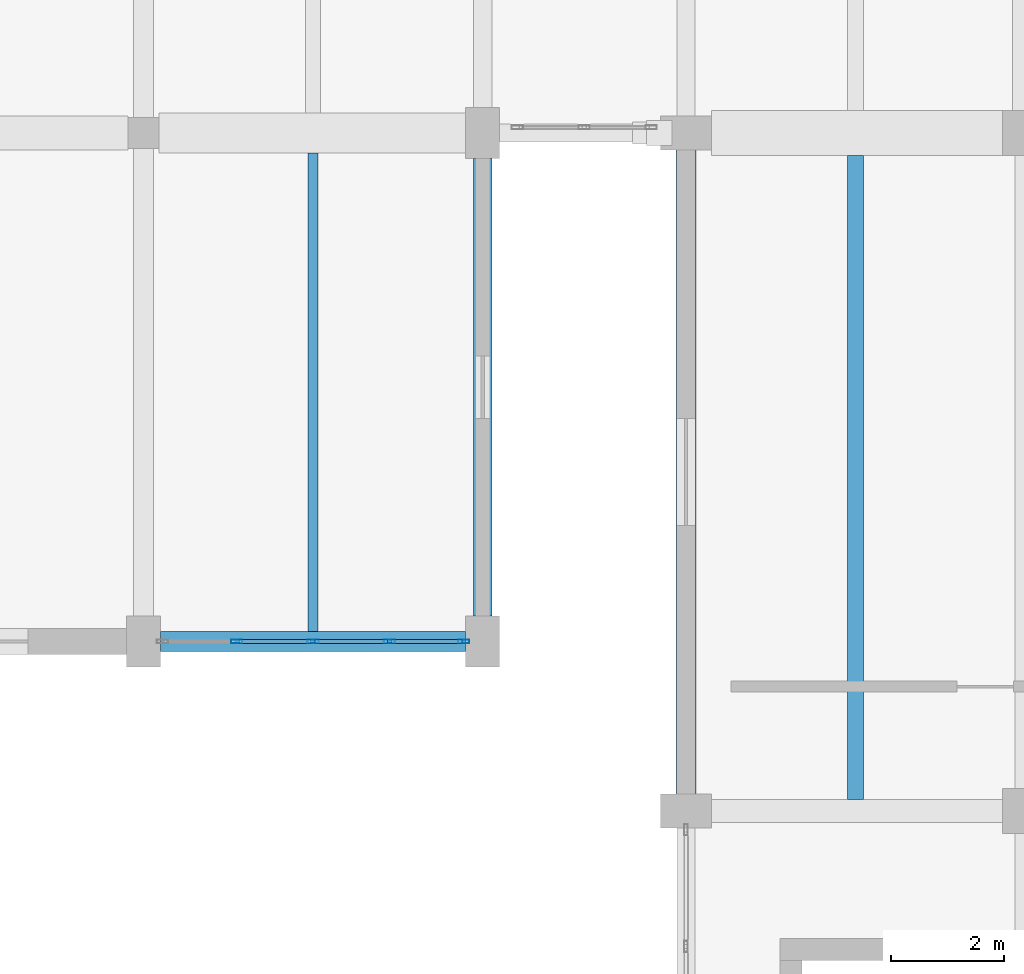
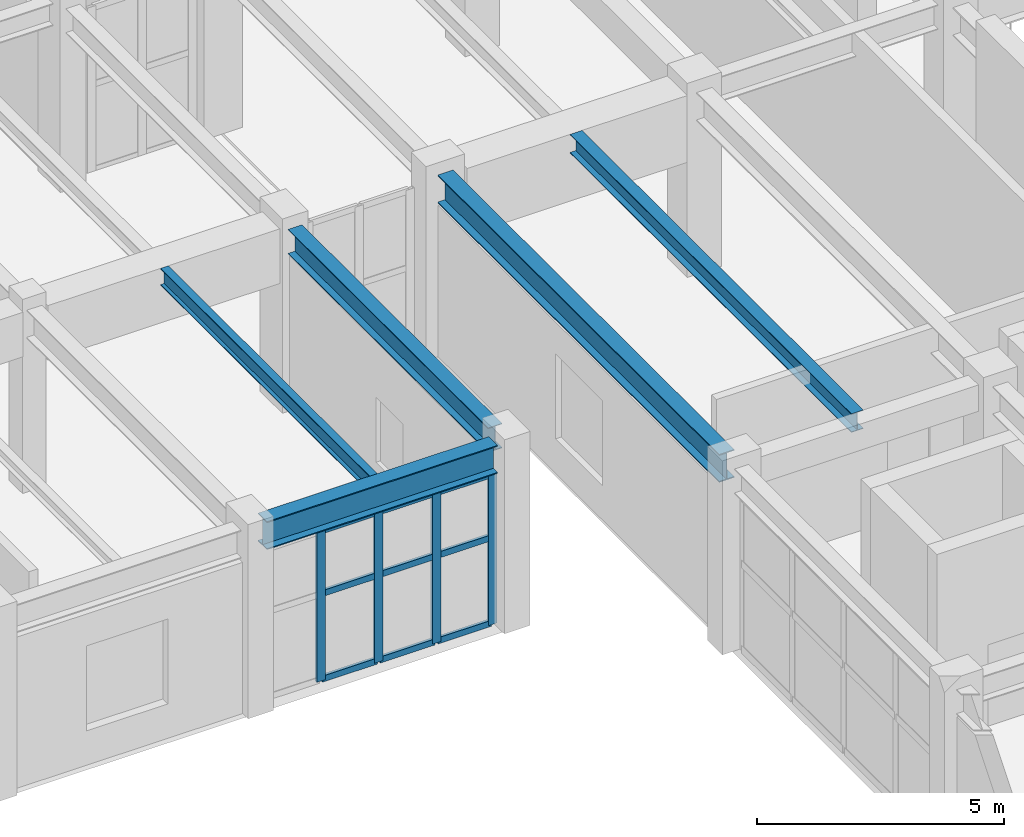
# One storey, part 14 of 96: 13 members, 5 beams, 1 element without a shape of its own.
"""IFC4 building model written with IfcOpenShell, lengths in metres."""

import ifcopenshell
import ifcopenshell.guid

model = None  # the IFC model being written
_history = None  # IfcOwnerHistory: only IFC2X3 demands one
_inside = {}  # id of a spatial element -> (the spatial element, [elements in it])
_under = {}  # id of a project, library or spatial element -> (it, [spatial elements below it])
_declared = {}  # id of a project -> (the project, [libraries it declares])
_typed = {}  # id of a type object -> (the type object, [elements of that type])
_made_of = {}  # id of a material, layer set ... -> (it, [elements and type objects made of it])


def new_model(schema):
    """Start an empty IFC model of exactly this schema.

    Asked for "IFC4X3", IfcOpenShell would pick the latest addendum, in which some entities
    have other attributes; the version numbers below select the first issue.
    IFC2X3 requires an IfcOwnerHistory on every rooted entity: one is made here for all.
    """
    global model, _history
    if schema == "IFC4X3":
        model = ifcopenshell.file(schema_version=(4, 3, 0, 0))
    else:
        model = ifcopenshell.file(schema=schema)
    _inside.clear()
    _under.clear()
    _declared.clear()
    _typed.clear()
    _made_of.clear()
    _history = None
    if model.schema == "IFC2X3":
        org = make("IfcOrganization", Name="unknown")
        user = make(
            "IfcPersonAndOrganization",
            ThePerson=make("IfcPerson", FamilyName="unknown"),
            TheOrganization=org,
        )
        app = make(
            "IfcApplication",
            ApplicationDeveloper=org,
            Version="unknown",
            ApplicationFullName="unknown",
            ApplicationIdentifier="unknown",
        )
        _history = make(
            "IfcOwnerHistory",
            OwningUser=user,
            OwningApplication=app,
            ChangeAction="ADDED",
            CreationDate=0,
        )
    return model


def make(cls, **values):
    """One entity of the class cls with the attributes given. An attribute that is None is left unset."""
    return model.create_entity(
        cls, **{name: value for name, value in values.items() if value is not None}
    )


def rooted(cls, **values):
    """An entity with a GlobalId (a new one), such as an element, a storey or a relation."""
    return make(cls, GlobalId=ifcopenshell.guid.new(), OwnerHistory=_history, **values)


def si_unit(unit_type, name, prefix=None):
    """IfcSIUnit, for example si_unit("LENGTHUNIT", "METRE", prefix="MILLI")."""
    return make("IfcSIUnit", UnitType=unit_type, Prefix=prefix, Name=name)


def assignment(units):
    """IfcUnitAssignment: the units of a project."""
    return None if units is None else make("IfcUnitAssignment", Units=units)


def point(xyz):
    """IfcCartesianPoint."""
    return None if xyz is None else make("IfcCartesianPoint", Coordinates=xyz)


def direction(xyz):
    """IfcDirection."""
    return None if xyz is None else make("IfcDirection", DirectionRatios=xyz)


def frame(location, z_axis=None, x_axis=None):
    """IfcAxis2Placement3D, a coordinate frame: its origin and axes. An axis left out is left unset."""
    return make(
        "IfcAxis2Placement3D",
        Location=point(location),
        Axis=direction(z_axis),
        RefDirection=direction(x_axis),
    )


def frame_2d(location, x_axis=None):
    """IfcAxis2Placement2D, a coordinate frame in the plane: its origin and x axis."""
    return make(
        "IfcAxis2Placement2D", Location=point(location), RefDirection=direction(x_axis)
    )


def origin():
    """The frame at (0, 0, 0) with its axes left unset."""
    return frame((0.0, 0.0, 0.0))


def origin_2d():
    """The frame at (0, 0) in the plane with its x axis left unset."""
    return frame_2d((0.0, 0.0))


def place(relative_to, where):
    """IfcLocalPlacement: puts the frame where relative to a parent placement (None: the world)."""
    return make(
        "IfcLocalPlacement", PlacementRelTo=relative_to, RelativePlacement=where
    )


def context(
    kind, dimensions, precision=None, world=None, true_north=None, identifier=None
):
    """IfcGeometricRepresentationContext, for example the 3D "Model" context."""
    return make(
        "IfcGeometricRepresentationContext",
        ContextIdentifier=identifier,
        ContextType=kind,
        CoordinateSpaceDimension=dimensions,
        Precision=precision,
        WorldCoordinateSystem=world,
        TrueNorth=true_north,
    )


def subcontext(parent, identifier, kind, view, scale=None):
    """IfcGeometricRepresentationSubContext, for example "Body" below "Model"."""
    return make(
        "IfcGeometricRepresentationSubContext",
        ContextIdentifier=identifier,
        ContextType=kind,
        ParentContext=parent,
        TargetScale=scale,
        TargetView=view,
    )


def project(units=None, contexts=None):
    """IfcProject with its units and contexts."""
    return rooted(
        "IfcProject",
        Name="project",
        RepresentationContexts=contexts,
        UnitsInContext=assignment(units),
    )


def spatial(cls, under=None, at=None, **own):
    """A site, building, storey or space (cls), placed at a placement, below another one or the project."""
    s = rooted(cls, ObjectPlacement=at, **own)
    if under is not None:
        _under.setdefault(under.id(), (under, []))[1].append(s)
    return s


def profile(cls, at=None, kind="AREA", **sizes):
    """A parametric profile (cls). Its sizes go by their IFC names, for example OverallWidth=200.0."""
    return make(cls, ProfileType=kind, Position=at, **sizes)


def hollow_rectangle(**sizes):
    """IfcRectangleHollowProfileDef."""
    return profile("IfcRectangleHollowProfileDef", **sizes)


def i_section(**sizes):
    """IfcIShapeProfileDef."""
    return profile("IfcIShapeProfileDef", **sizes)


def extrude(swept, where, along, depth):
    """IfcExtrudedAreaSolid: the profile swept, set in the frame where, extruded along a direction by depth."""
    return make(
        "IfcExtrudedAreaSolid",
        SweptArea=swept,
        Position=where,
        ExtrudedDirection=direction(along),
        Depth=depth,
    )


def shape(context_of_items, identifier, shape_type, items):
    """IfcShapeRepresentation: the items that make up one representation, for example the "Body"."""
    return make(
        "IfcShapeRepresentation",
        ContextOfItems=context_of_items,
        RepresentationIdentifier=identifier,
        RepresentationType=shape_type,
        Items=items,
    )


def material(Name=None, Category=None):
    """IfcMaterial."""
    return make("IfcMaterial", Name=Name, Category=Category)


def layer(
    of_material, thickness, ventilated=None, Name=None, Category=None, Priority=None
):
    """IfcMaterialLayer: one layer of a wall or slab, of a material (None: an air gap)."""
    return make(
        "IfcMaterialLayer",
        Material=of_material,
        LayerThickness=thickness,
        IsVentilated=ventilated,
        Name=Name,
        Category=Category,
        Priority=Priority,
    )


def layer_set(layers, Name=None):
    """IfcMaterialLayerSet."""
    return make("IfcMaterialLayerSet", MaterialLayers=layers, LayerSetName=Name)


def material_profile(
    of_material, cross_section, Name=None, Category=None, Priority=None
):
    """IfcMaterialProfile: a cross section and its material."""
    return make(
        "IfcMaterialProfile",
        Name=Name,
        Material=of_material,
        Profile=cross_section,
        Priority=Priority,
        Category=Category,
    )


def profile_set(profiles, Name=None, composite=None):
    """IfcMaterialProfileSet."""
    return make(
        "IfcMaterialProfileSet",
        Name=Name,
        MaterialProfiles=profiles,
        CompositeProfile=composite,
    )


def made_of(thing, what):
    """Note that an element or type object is made of a material, layer set ...; save() writes the relation."""
    if what is not None:
        _made_of.setdefault(what.id(), (what, []))[1].append(thing)
    return thing


def type_object(cls, material=None, **own):
    """A type object (cls), such as IfcWallType, which elements share."""
    return made_of(rooted(cls, **own), material)


def element(
    cls,
    number,
    at=None,
    inside=None,
    cuts=None,
    type_object=None,
    material=None,
    context=None,
    identifier="Body",
    shape_type=None,
    held_by="IfcProductDefinitionShape",
    body=None,
    shapes=None,
    **own,
):
    """One element of the class cls, such as IfcWall. Its Tag is "e" and its number.

    at: its placement. inside: the storey or other place that contains it. cuts: it is an
    opening in that element (IfcRelVoidsElement). A single representation is given by context,
    identifier, shape_type and body (its items); several are given by shapes. held_by: the class
    of the entity that holds the representations. save() writes the other relations.
    """
    e = rooted(cls, Tag="e%d" % number, ObjectPlacement=at, **own)
    if body is not None:
        shapes = [shape(context, identifier, shape_type, body)]
    if shapes is not None:
        e.Representation = make(held_by, Representations=shapes)
    if inside is not None:
        _inside.setdefault(inside.id(), (inside, []))[1].append(e)
    if cuts is not None:
        rooted(
            "IfcRelVoidsElement", RelatingBuildingElement=cuts, RelatedOpeningElement=e
        )
    if type_object is not None:
        _typed.setdefault(type_object.id(), (type_object, []))[1].append(e)
    return made_of(e, material)


def aggregate(whole, parts):
    """IfcRelAggregates: a whole, such as a stair, and the parts it consists of."""
    return rooted("IfcRelAggregates", RelatingObject=whole, RelatedObjects=parts)


def save(model, path):
    """Write the relations noted so far, then the file.

    IfcRelAggregates (storeys below a building ...), IfcRelContainedInSpatialStructure (elements
    in a storey), IfcRelDefinesByType, IfcRelAssociatesMaterial and IfcRelDeclares: one each for
    every whole, place, type object, material and project.
    """
    for whole, parts in _under.values():
        aggregate(whole, parts)
    for where, things in _inside.values():
        rooted(
            "IfcRelContainedInSpatialStructure",
            RelatedElements=things,
            RelatingStructure=where,
        )
    for kind, things in _typed.values():
        rooted("IfcRelDefinesByType", RelatedObjects=things, RelatingType=kind)
    for what, things in _made_of.values():
        rooted("IfcRelAssociatesMaterial", RelatedObjects=things, RelatingMaterial=what)
    for by, libraries in _declared.values():
        rooted("IfcRelDeclares", RelatingContext=by, RelatedDefinitions=libraries)
    model.write(path)


model = new_model("IFC4")

# Units and contexts
model_context = context("Model", 3, precision=1e-05, world=origin(), true_north=direction((0.0, 1.0)))
body_context = subcontext(model_context, "Body", "Model", "MODEL_VIEW")
ifc_project = project(units=[si_unit("LENGTHUNIT", "METRE"), si_unit("AREAUNIT", "SQUARE_METRE"), si_unit("VOLUMEUNIT", "CUBIC_METRE"), si_unit("PLANEANGLEUNIT", "RADIAN"), si_unit("MASSUNIT", "GRAM", prefix="KILO")], contexts=[model_context])

# Site, building, storey
site_placement = place(None, origin())
site = spatial("IfcSite", under=ifc_project, at=site_placement, CompositionType="ELEMENT")
building_placement = place(site_placement, origin())
building = spatial("IfcBuilding", under=site, at=building_placement, Name="Vaelkrest Opera House", CompositionType="ELEMENT")
storey_placement = place(building_placement, frame((0.0, 0.0, 5.39990234375)))
storey = spatial("IfcBuildingStorey", under=building, at=storey_placement, Name="L01", CompositionType="ELEMENT", Elevation=5.39990234375)

# Curtain wall, members
ifc_material_1 = material(Name="Dark bronze anodized aluminium", Category="aluminium")
ifc_layer = layer(ifc_material_1, 0.18994140625)
ifc_layer_set = layer_set([ifc_layer], Name="Dark bronze anodized aluminium")
curtain_wall_type = type_object("IfcCurtainWallType", Name="CW02", PredefinedType="NOTDEFINED", material=ifc_layer_set)
curtain_wall_placement = place(storey_placement, origin())
curtain_wall = element("IfcCurtainWall", 1, at=curtain_wall_placement, inside=storey, type_object=curtain_wall_type, Name="Curtain wall CW-L01-099", PredefinedType="NOTDEFINED")
ifc_material_profile_1 = material_profile(ifc_material_1, hollow_rectangle(XDim=0.070068359375, YDim=0.199951171875, WallThickness=0.004150390625, at=origin_2d()), Name="CWM70X200")
ifc_profile_set_1 = profile_set([ifc_material_profile_1], Name="Dark bronze anodized aluminium")
member_type_1 = type_object("IfcMemberType", Name="CWM02", PredefinedType="MULLION", material=ifc_profile_set_1)
member_1_placement = place(storey_placement, frame((-33.93310546875, -16.800048828125, 0.0), z_axis=(0.0, 0.0, 1.0), x_axis=(0.0, -1.0, 0.0)))
member_1 = element("IfcMember", 2, at=member_1_placement, type_object=member_type_1, Name="CW02 mullion 1", PredefinedType="MULLION", context=body_context, shape_type="SweptSolid", body=[
    extrude(hollow_rectangle(XDim=0.070068359375, YDim=0.199951171875, WallThickness=0.004150390625, at=origin_2d()), origin(), (0.0, 0.0, 1.0), 3.739990234375),
])
member_2_placement = place(storey_placement, frame((-35.2490234375, -16.800048828125, 0.0), z_axis=(0.0, 0.0, 1.0), x_axis=(0.0, -1.0, 0.0)))
member_2 = element("IfcMember", 3, at=member_2_placement, type_object=member_type_1, Name="CW02 mullion 2", PredefinedType="MULLION", context=body_context, shape_type="SweptSolid", body=[
    extrude(hollow_rectangle(XDim=0.070068359375, YDim=0.199951171875, WallThickness=0.004150390625, at=origin_2d()), origin(), (0.0, 0.0, 1.0), 3.739990234375),
])
member_3_placement = place(storey_placement, frame((-36.60009765625, -16.800048828125, 0.0), z_axis=(0.0, 0.0, 1.0), x_axis=(0.0, -1.0, 0.0)))
member_3 = element("IfcMember", 4, at=member_3_placement, type_object=member_type_1, Name="CW02 mullion 3", PredefinedType="MULLION", context=body_context, shape_type="SweptSolid", body=[
    extrude(hollow_rectangle(XDim=0.070068359375, YDim=0.199951171875, WallThickness=0.004150390625, at=origin_2d()), origin(), (0.0, 0.0, 1.0), 3.739990234375),
])
member_4_placement = place(storey_placement, frame((-37.950927734375, -16.800048828125, 0.0), z_axis=(0.0, 0.0, 1.0), x_axis=(0.0, -1.0, 0.0)))
member_4 = element("IfcMember", 5, at=member_4_placement, type_object=member_type_1, Name="CW02 mullion 4", PredefinedType="MULLION", context=body_context, shape_type="SweptSolid", body=[
    extrude(hollow_rectangle(XDim=0.070068359375, YDim=0.199951171875, WallThickness=0.004150390625, at=origin_2d()), origin(), (0.0, 0.0, 1.0), 3.739990234375),
])
ifc_material_profile_2 = material_profile(ifc_material_1, hollow_rectangle(XDim=0.070068359375, YDim=0.14990234375, WallThickness=0.004150390625, at=origin_2d()), Name="CWT70X150")
ifc_profile_set_2 = profile_set([ifc_material_profile_2], Name="Dark bronze anodized aluminium")
member_type_2 = type_object("IfcMemberType", Name="CWT02", PredefinedType="USERDEFINED", material=ifc_profile_set_2)
member_5_placement = place(storey_placement, frame((-33.968017578125, -16.800048828125, 0.03515625), z_axis=(-1.0, 0.0, 0.0), x_axis=(0.0, -1.0, 0.0)))
member_5 = element("IfcMember", 6, at=member_5_placement, type_object=member_type_2, Name="CW02 transom 1.1", ObjectType="TRANSOM", PredefinedType="USERDEFINED", context=body_context, shape_type="SweptSolid", body=[
    extrude(hollow_rectangle(XDim=0.070068359375, YDim=0.14990234375, WallThickness=0.004150390625, at=origin_2d()), origin(), (0.0, 0.0, 1.0), 1.24609375),
])
member_6_placement = place(storey_placement, frame((-33.968017578125, -16.800048828125, 2.150146484375), z_axis=(-1.0, 0.0, 0.0), x_axis=(0.0, -1.0, 0.0)))
member_6 = element("IfcMember", 7, at=member_6_placement, type_object=member_type_2, Name="CW02 transom 1.2", ObjectType="TRANSOM", PredefinedType="USERDEFINED", context=body_context, shape_type="SweptSolid", body=[
    extrude(hollow_rectangle(XDim=0.070068359375, YDim=0.14990234375, WallThickness=0.004150390625, at=origin_2d()), origin(), (0.0, 0.0, 1.0), 1.24609375),
])
member_7_placement = place(storey_placement, frame((-33.968017578125, -16.800048828125, 3.705078125), z_axis=(-1.0, 0.0, 0.0), x_axis=(0.0, -1.0, 0.0)))
member_7 = element("IfcMember", 8, at=member_7_placement, type_object=member_type_2, Name="CW02 transom 1.3", ObjectType="TRANSOM", PredefinedType="USERDEFINED", context=body_context, shape_type="SweptSolid", body=[
    extrude(hollow_rectangle(XDim=0.070068359375, YDim=0.14990234375, WallThickness=0.004150390625, at=origin_2d()), origin(), (0.0, 0.0, 1.0), 1.24609375),
])
member_8_placement = place(storey_placement, frame((-35.283935546875, -16.800048828125, 0.03515625), z_axis=(-1.0, 0.0, 0.0), x_axis=(0.0, -1.0, 0.0)))
member_8 = element("IfcMember", 9, at=member_8_placement, type_object=member_type_2, Name="CW02 transom 2.1", ObjectType="TRANSOM", PredefinedType="USERDEFINED", context=body_context, shape_type="SweptSolid", body=[
    extrude(hollow_rectangle(XDim=0.070068359375, YDim=0.14990234375, WallThickness=0.004150390625, at=origin_2d()), origin(), (0.0, 0.0, 1.0), 1.281005859375),
])
member_9_placement = place(storey_placement, frame((-35.283935546875, -16.800048828125, 2.150146484375), z_axis=(-1.0, 0.0, 0.0), x_axis=(0.0, -1.0, 0.0)))
member_9 = element("IfcMember", 10, at=member_9_placement, type_object=member_type_2, Name="CW02 transom 2.2", ObjectType="TRANSOM", PredefinedType="USERDEFINED", context=body_context, shape_type="SweptSolid", body=[
    extrude(hollow_rectangle(XDim=0.070068359375, YDim=0.14990234375, WallThickness=0.004150390625, at=origin_2d()), origin(), (0.0, 0.0, 1.0), 1.281005859375),
])
member_10_placement = place(storey_placement, frame((-35.283935546875, -16.800048828125, 3.705078125), z_axis=(-1.0, 0.0, 0.0), x_axis=(0.0, -1.0, 0.0)))
member_10 = element("IfcMember", 11, at=member_10_placement, type_object=member_type_2, Name="CW02 transom 2.3", ObjectType="TRANSOM", PredefinedType="USERDEFINED", context=body_context, shape_type="SweptSolid", body=[
    extrude(hollow_rectangle(XDim=0.070068359375, YDim=0.14990234375, WallThickness=0.004150390625, at=origin_2d()), origin(), (0.0, 0.0, 1.0), 1.281005859375),
])
member_11_placement = place(storey_placement, frame((-36.635009765625, -16.800048828125, 0.03515625), z_axis=(-1.0, 0.0, 0.0), x_axis=(0.0, -1.0, 0.0)))
member_11 = element("IfcMember", 12, at=member_11_placement, type_object=member_type_2, Name="CW02 transom 3.1", ObjectType="TRANSOM", PredefinedType="USERDEFINED", context=body_context, shape_type="SweptSolid", body=[
    extrude(hollow_rectangle(XDim=0.070068359375, YDim=0.14990234375, WallThickness=0.004150390625, at=origin_2d()), origin(), (0.0, 0.0, 1.0), 1.281005859375),
])
member_12_placement = place(storey_placement, frame((-36.635009765625, -16.800048828125, 2.150146484375), z_axis=(-1.0, 0.0, 0.0), x_axis=(0.0, -1.0, 0.0)))
member_12 = element("IfcMember", 13, at=member_12_placement, type_object=member_type_2, Name="CW02 transom 3.2", ObjectType="TRANSOM", PredefinedType="USERDEFINED", context=body_context, shape_type="SweptSolid", body=[
    extrude(hollow_rectangle(XDim=0.070068359375, YDim=0.14990234375, WallThickness=0.004150390625, at=origin_2d()), origin(), (0.0, 0.0, 1.0), 1.281005859375),
])
member_13_placement = place(storey_placement, frame((-36.635009765625, -16.800048828125, 3.705078125), z_axis=(-1.0, 0.0, 0.0), x_axis=(0.0, -1.0, 0.0)))
member_13 = element("IfcMember", 14, at=member_13_placement, type_object=member_type_2, Name="CW02 transom 3.3", ObjectType="TRANSOM", PredefinedType="USERDEFINED", context=body_context, shape_type="SweptSolid", body=[
    extrude(hollow_rectangle(XDim=0.070068359375, YDim=0.14990234375, WallThickness=0.004150390625, at=origin_2d()), origin(), (0.0, 0.0, 1.0), 1.281005859375),
])
aggregate(curtain_wall, [member_1, member_2, member_3, member_4, member_5, member_6, member_7, member_8, member_9, member_10, member_11, member_12, member_13])

# Beams
ifc_material_2 = material(Name="Steel A992 Gr50", Category="steel")
ifc_material_profile_3 = material_profile(ifc_material_2, i_section(OverallWidth=0.180908203125, OverallDepth=0.4169921875, WebThickness=0.010986328125, FlangeThickness=0.018310546875, at=origin_2d()), Name="W16X57")
ifc_profile_set_3 = profile_set([ifc_material_profile_3], Name="Steel A992 Gr50")
beam_type_1 = type_object("IfcBeamType", Name="J07", PredefinedType="JOIST", material=ifc_profile_set_3)
beam_1_placement = place(storey_placement, frame((-36.60009765625, -16.62255859375, 4.29150390625), z_axis=(0.0, 1.0, 0.0), x_axis=(-1.0, 0.0, 0.0)))
element("IfcBeam", 15, at=beam_1_placement, inside=storey, type_object=beam_type_1, Name="Floor joist JST-V3-L01-1617", PredefinedType="JOIST", context=body_context, shape_type="SweptSolid", body=[
    extrude(i_section(OverallWidth=0.180908203125, OverallDepth=0.4169921875, WebThickness=0.010986328125, FlangeThickness=0.018310546875, at=origin_2d()), origin(), (0.0, 0.0, 1.0), 8.47265625),
])
ifc_material_profile_4 = material_profile(ifc_material_2, i_section(OverallWidth=0.280029296875, OverallDepth=0.462890625, WebThickness=0.0107421875, FlangeThickness=0.017333984375, at=origin_2d()), Name="W18X76")
ifc_profile_set_4 = profile_set([ifc_material_profile_4], Name="Steel A992 Gr50")
beam_type_2 = type_object("IfcBeamType", Name="J09", PredefinedType="JOIST", material=ifc_profile_set_4)
beam_2_placement = place(storey_placement, frame((-27.0, -19.60009765625, 4.2685546875), z_axis=(0.0, 1.0, 0.0), x_axis=(-1.0, 0.0, 0.0)))
element("IfcBeam", 16, at=beam_2_placement, inside=storey, type_object=beam_type_2, Name="Floor joist JST-V1-L01-0299", PredefinedType="JOIST", context=body_context, shape_type="SweptSolid", body=[
    extrude(i_section(OverallWidth=0.280029296875, OverallDepth=0.462890625, WebThickness=0.0107421875, FlangeThickness=0.017333984375, at=origin_2d()), origin(), (0.0, 0.0, 1.0), 11.400146484375),
])
ifc_material_profile_5 = material_profile(ifc_material_2, i_section(OverallWidth=0.323974609375, OverallDepth=0.611083984375, WebThickness=0.0126953125, FlangeThickness=0.01904296875, at=origin_2d()), Name="W24X104")
ifc_profile_set_5 = profile_set([ifc_material_profile_5], Name="Steel A992 Gr50")
beam_type_3 = type_object("IfcBeamType", Name="SP01", PredefinedType="SPANDREL", material=ifc_profile_set_5)
beam_3_placement = place(storey_placement, frame((-33.60009765625, -16.35009765625, 4.194580078125), z_axis=(0.0, 1.0, 0.0), x_axis=(-1.0, 0.0, 0.0)))
element("IfcBeam", 17, at=beam_3_placement, inside=storey, type_object=beam_type_3, Name="Beam BM-V3-L01-1587", PredefinedType="SPANDREL", context=body_context, shape_type="SweptSolid", body=[
    extrude(i_section(OverallWidth=0.323974609375, OverallDepth=0.611083984375, WebThickness=0.0126953125, FlangeThickness=0.01904296875, at=origin_2d()), origin(), (0.0, 0.0, 1.0), 8.10009765625),
])
ifc_material_profile_6 = material_profile(ifc_material_2, i_section(OverallWidth=0.35498046875, OverallDepth=0.695068359375, WebThickness=0.015380859375, FlangeThickness=0.02490234375, at=origin_2d()), Name="W27X146")
ifc_profile_set_6 = profile_set([ifc_material_profile_6], Name="Steel A992 Gr50")
beam_type_4 = type_object("IfcBeamType", Name="SP02", PredefinedType="SPANDREL", material=ifc_profile_set_6)
beam_4_placement = place(storey_placement, frame((-30.0, -19.5, 4.152587890625), z_axis=(0.0, 1.0, 0.0), x_axis=(-1.0, 0.0, 0.0)))
element("IfcBeam", 18, at=beam_4_placement, inside=storey, type_object=beam_type_4, Name="Beam BM-V1-L01-0261", PredefinedType="SPANDREL", context=body_context, shape_type="SweptSolid", body=[
    extrude(i_section(OverallWidth=0.35498046875, OverallDepth=0.695068359375, WebThickness=0.015380859375, FlangeThickness=0.02490234375, at=origin_2d()), origin(), (0.0, 0.0, 1.0), 11.39990234375),
])
beam_5_placement = place(storey_placement, frame((-39.300048828125, -16.800048828125, 4.152587890625), z_axis=(1.0, 0.0, 0.0), x_axis=(0.0, 1.0, 0.0)))
element("IfcBeam", 19, at=beam_5_placement, inside=storey, type_object=beam_type_4, Name="Beam BM-V3-L01-1514", PredefinedType="SPANDREL", context=body_context, shape_type="SweptSolid", body=[
    extrude(i_section(OverallWidth=0.35498046875, OverallDepth=0.695068359375, WebThickness=0.015380859375, FlangeThickness=0.02490234375, at=origin_2d()), origin(), (0.0, 0.0, 1.0), 5.400146484375),
])

save(model, "model.ifc")
